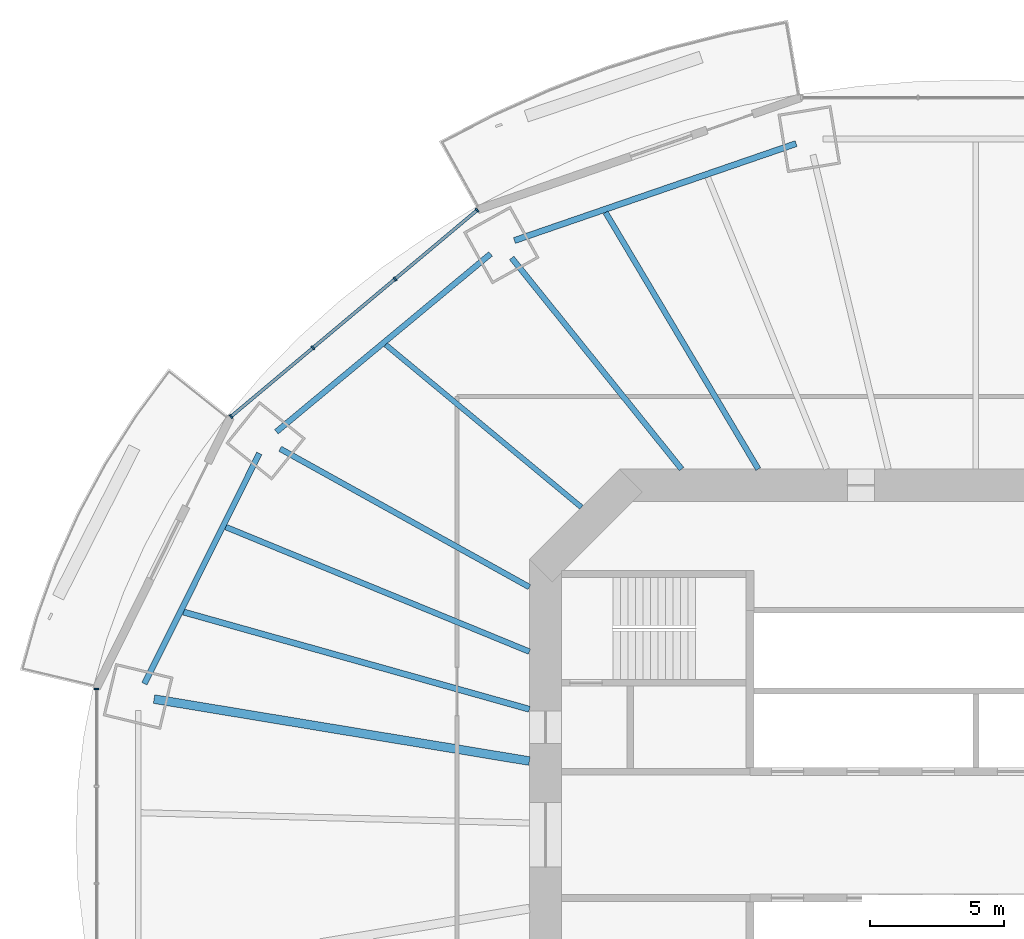
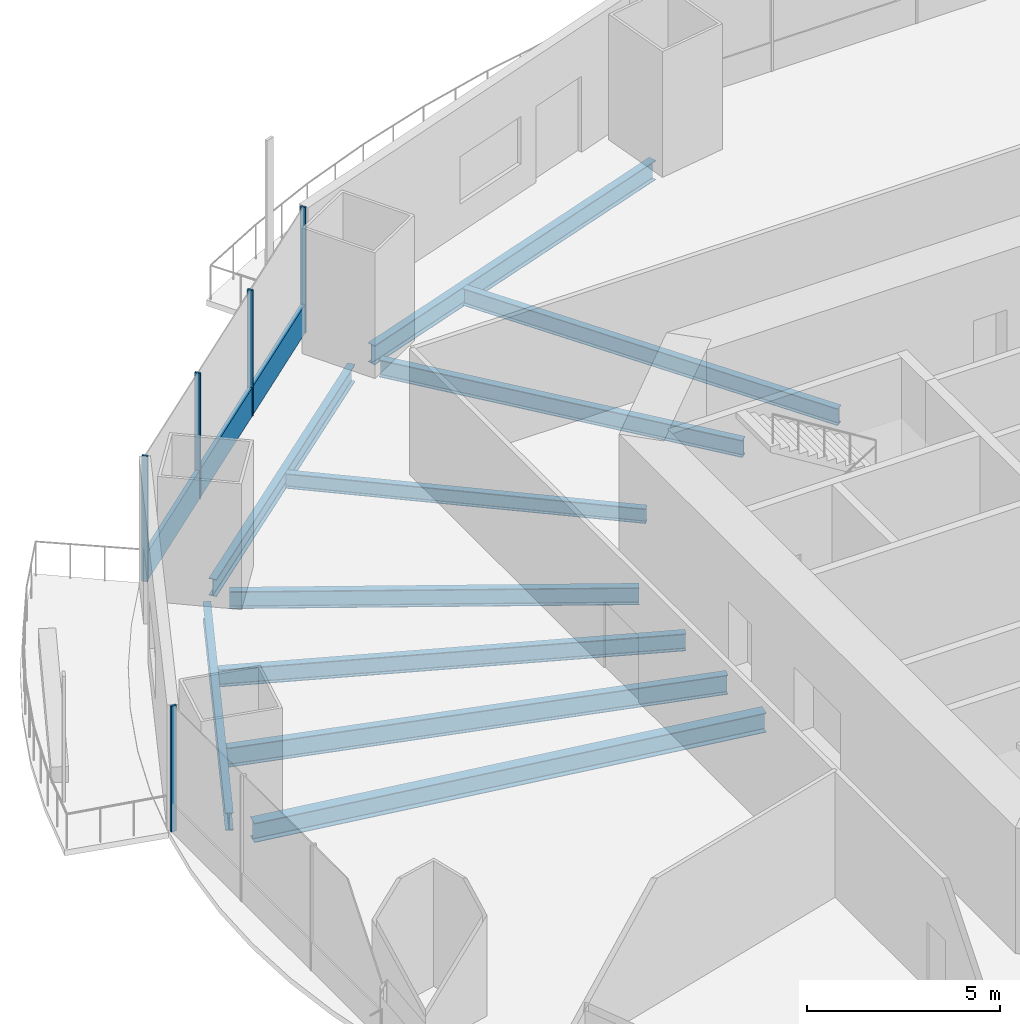
# One storey, part 6 of 20: 10 beams, 6 members, 2 elements without a shape of their own.
"""IFC4 building model written with IfcOpenShell, lengths in metres."""

from ifc_helpers import new_model, si_unit, direction, frame, origin, origin_2d, place, context, subcontext, project, spatial, rectangle, i_section, extrude, material, material_profile, profile_set, type_object, element, aggregate, save


model = new_model("IFC4")

# Units and contexts
model_context = context("Model", 3, precision=1e-05, world=origin(), true_north=direction((0.0, 1.0)))
body_context = subcontext(model_context, "Body", "Model", "MODEL_VIEW")
ifc_project = project(units=[si_unit("LENGTHUNIT", "METRE"), si_unit("AREAUNIT", "SQUARE_METRE"), si_unit("VOLUMEUNIT", "CUBIC_METRE"), si_unit("PLANEANGLEUNIT", "RADIAN"), si_unit("MASSUNIT", "GRAM", prefix="KILO")], contexts=[model_context])

# Site, building, storey
site_placement = place(None, origin())
site = spatial("IfcSite", under=ifc_project, at=site_placement, CompositionType="ELEMENT")
building_placement = place(site_placement, origin())
building = spatial("IfcBuilding", under=site, at=building_placement, Name="Marenthal Gate Tower", CompositionType="ELEMENT")
storey_placement = place(building_placement, frame((0.0, 0.0, 136.75)))
storey = spatial("IfcBuildingStorey", under=building, at=storey_placement, Name="L29", CompositionType="ELEMENT", Elevation=136.75)

# Curtain wall, members
ifc_material_1 = material(Name="Aluminium and glass", Category="aluminium")
curtain_wall_type = type_object("IfcCurtainWallType", Name="Curtain wall typical low", PredefinedType="NOTDEFINED", material=ifc_material_1)
curtain_wall_1_placement = place(storey_placement, origin())
curtain_wall_1 = element("IfcCurtainWall", 1, at=curtain_wall_1_placement, inside=storey, type_object=curtain_wall_type, Name="Curtain wall L29 bay 6", PredefinedType="NOTDEFINED")
ifc_material_2 = material(Name="Aluminium", Category="aluminium")
ifc_material_profile_1 = material_profile(ifc_material_2, rectangle(XDim=0.159912109375, YDim=0.06005859375, at=origin_2d()), Name="60x160 aluminium mullion")
ifc_profile_set_1 = profile_set([ifc_material_profile_1], Name="Aluminium")
member_type_1 = type_object("IfcMemberType", Name="Mullion 60x160 typical low", PredefinedType="MULLION", material=ifc_profile_set_1)
member_1_placement = place(storey_placement, frame((-18.546875, 23.22607421875, 0.0), z_axis=(0.0, 0.0, 1.0), x_axis=(0.642510826857, -0.766276606305, 0.0)))
member_1 = element("IfcMember", 2, at=member_1_placement, type_object=member_type_1, Name="Mullion L29 bay 6.1", PredefinedType="MULLION", context=body_context, shape_type="SweptSolid", body=[
    extrude(rectangle(XDim=0.159912109375, YDim=0.06005859375, at=origin_2d()), origin(), (0.0, 0.0, 1.0), 3.969970703125),
])
member_2_placement = place(storey_placement, frame((-21.597900390625, 20.66796875, 0.0), z_axis=(0.0, 0.0, 1.0), x_axis=(0.642510826857, -0.766276606305, 0.0)))
member_2 = element("IfcMember", 3, at=member_2_placement, type_object=member_type_1, Name="Mullion L29 bay 6.2", PredefinedType="MULLION", context=body_context, shape_type="SweptSolid", body=[
    extrude(rectangle(XDim=0.159912109375, YDim=0.06005859375, at=origin_2d()), origin(), (0.0, 0.0, 1.0), 3.969970703125),
])
member_3_placement = place(storey_placement, frame((-24.64892578125, 18.109619140625, 0.0), z_axis=(0.0, 0.0, 1.0), x_axis=(0.642510826857, -0.766276606305, 0.0)))
member_3 = element("IfcMember", 4, at=member_3_placement, type_object=member_type_1, Name="Mullion L29 bay 6.3", PredefinedType="MULLION", context=body_context, shape_type="SweptSolid", body=[
    extrude(rectangle(XDim=0.159912109375, YDim=0.06005859375, at=origin_2d()), origin(), (0.0, 0.0, 1.0), 3.969970703125),
])
member_4_placement = place(storey_placement, frame((-27.699951171875, 15.551513671875, 0.0), z_axis=(0.0, 0.0, 1.0), x_axis=(0.642510826857, -0.766276606305, 0.0)))
member_4 = element("IfcMember", 5, at=member_4_placement, type_object=member_type_1, Name="Mullion L29 bay 6.4", PredefinedType="MULLION", context=body_context, shape_type="SweptSolid", body=[
    extrude(rectangle(XDim=0.159912109375, YDim=0.06005859375, at=origin_2d()), origin(), (0.0, 0.0, 1.0), 3.969970703125),
])

# Curtain wall, member
curtain_wall_2_placement = place(storey_placement, origin())
curtain_wall_2 = element("IfcCurtainWall", 6, at=curtain_wall_2_placement, inside=storey, type_object=curtain_wall_type, Name="Curtain wall L29 bay 8", PredefinedType="NOTDEFINED")
member_5_placement = place(storey_placement, frame((-32.701416015625, 5.424072265625, 0.0), z_axis=(0.0, 0.0, 1.0), x_axis=(1.0, 0.0, 0.0)))
member_5 = element("IfcMember", 7, at=member_5_placement, type_object=member_type_1, Name="Mullion L29 bay 8.1", PredefinedType="MULLION", context=body_context, shape_type="SweptSolid", body=[
    extrude(rectangle(XDim=0.159912109375, YDim=0.06005859375, at=origin_2d()), origin(), (0.0, 0.0, 1.0), 3.969970703125),
])
aggregate(curtain_wall_2, [member_5])

# Member
ifc_material_3 = material(Name="Aluminium", Category="aluminium")
ifc_material_profile_2 = material_profile(ifc_material_3, rectangle(XDim=0.1201171875, YDim=0.89990234375, at=origin_2d()), Name="120x900 aluminium transom")
ifc_profile_set_2 = profile_set([ifc_material_profile_2], Name="Aluminium")
member_type_2 = type_object("IfcMemberType", Name="Transom 120x900 typical low", PredefinedType="USERDEFINED", material=ifc_profile_set_2)
member_6_placement = place(storey_placement, frame((-18.56982421875, 23.206787109375, 0.449951171875), z_axis=(-0.76627636454, -0.642511115194, 0.0), x_axis=(0.642511115194, -0.76627636454, 0.0)))
member_6 = element("IfcMember", 8, at=member_6_placement, type_object=member_type_2, Name="Transom L29 bay 6", ObjectType="TRANSOM", PredefinedType="USERDEFINED", context=body_context, shape_type="SweptSolid", body=[
    extrude(rectangle(XDim=0.1201171875, YDim=0.89990234375, at=origin_2d()), origin(), (0.0, 0.0, 1.0), 11.885009765625),
])

aggregate(curtain_wall_1, [member_1, member_2, member_3, member_4, member_6])

# Beams
ifc_material_4 = material(Name="Steel S355", Category="steel")
ifc_material_profile_3 = material_profile(ifc_material_4, i_section(OverallWidth=0.193115234375, OverallDepth=0.467041015625, WebThickness=0.011474609375, FlangeThickness=0.01904296875, FilletRadius=0.010009765625, at=origin_2d()), Name="W460X97")
ifc_profile_set_3 = profile_set([ifc_material_profile_3], Name="Steel S355")
beam_type_1 = type_object("IfcBeamType", Name="W460X97 beam", PredefinedType="BEAM", material=ifc_profile_set_3)
beam_1_placement = place(storey_placement, frame((-21.944580078125, 18.22412109375, -0.41357421875), z_axis=(0.769313903272, -0.638870971506, 0.0), x_axis=(0.638870971506, 0.769313903272, 0.0)))
element("IfcBeam", 9, at=beam_1_placement, inside=storey, type_object=beam_type_1, Name="BM-L29-25", PredefinedType="BEAM", context=body_context, shape_type="SweptSolid", body=[
    extrude(i_section(OverallWidth=0.193115234375, OverallDepth=0.467041015625, WebThickness=0.011474609375, FlangeThickness=0.01904296875, FilletRadius=0.010009765625, at=origin_2d()), origin(), (0.0, 0.0, 1.0), 9.459228515625),
])
ifc_material_5 = material(Name="Steel S355", Category="steel")
ifc_material_profile_4 = material_profile(ifc_material_5, i_section(OverallWidth=0.2099609375, OverallDepth=0.535888671875, WebThickness=0.010986328125, FlangeThickness=0.017333984375, FilletRadius=0.0126953125, at=origin_2d()), Name="W530X101")
ifc_profile_set_4 = profile_set([ifc_material_profile_4], Name="Steel S355")
beam_type_2 = type_object("IfcBeamType", Name="W530X101 beam", PredefinedType="BEAM", material=ifc_profile_set_4)
beam_2_placement = place(storey_placement, frame((-13.769775390625, 23.14404296875, -0.447998046875), z_axis=(0.511320752803, -0.859389950926, 0.0), x_axis=(0.859389950926, 0.511320752803, 0.0)))
element("IfcBeam", 10, at=beam_2_placement, inside=storey, type_object=beam_type_2, Name="BM-L29-24", PredefinedType="BEAM", context=body_context, shape_type="SweptSolid", body=[
    extrude(i_section(OverallWidth=0.2099609375, OverallDepth=0.535888671875, WebThickness=0.010986328125, FlangeThickness=0.017333984375, FilletRadius=0.0126953125, at=origin_2d()), origin(), (0.0, 0.0, 1.0), 11.10546875),
])
ifc_material_6 = material(Name="Steel S355", Category="steel")
ifc_material_profile_5 = material_profile(ifc_material_6, i_section(OverallWidth=0.2119140625, OverallDepth=0.5439453125, WebThickness=0.01318359375, FlangeThickness=0.021240234375, FilletRadius=0.0126953125, at=origin_2d()), Name="W530X123")
ifc_profile_set_5 = profile_set([ifc_material_profile_5], Name="Steel S355")
beam_type_3 = type_object("IfcBeamType", Name="W530X123 beam", PredefinedType="BEAM", material=ifc_profile_set_5)
beam_3_placement = place(storey_placement, frame((-17.259521484375, 21.45166015625, -0.451904296875), z_axis=(0.6268641657, -0.77912856305, 0.0), x_axis=(0.77912856305, 0.6268641657, 0.0)))
element("IfcBeam", 11, at=beam_3_placement, inside=storey, type_object=beam_type_3, Name="BM-L29-06", PredefinedType="BEAM", context=body_context, shape_type="SweptSolid", body=[
    extrude(i_section(OverallWidth=0.2119140625, OverallDepth=0.5439453125, WebThickness=0.01318359375, FlangeThickness=0.021240234375, FilletRadius=0.0126953125, at=origin_2d()), origin(), (0.0, 0.0, 1.0), 10.077392578125),
])
beam_4_placement = place(storey_placement, frame((-25.8701171875, 14.355224609375, -0.451904296875), z_axis=(0.874396146379, -0.485212715412, 0.0), x_axis=(0.485212715412, 0.874396146379, 0.0)))
element("IfcBeam", 12, at=beam_4_placement, inside=storey, type_object=beam_type_3, Name="BM-L29-07", PredefinedType="BEAM", context=body_context, shape_type="SweptSolid", body=[
    extrude(i_section(OverallWidth=0.2119140625, OverallDepth=0.5439453125, WebThickness=0.01318359375, FlangeThickness=0.021240234375, FilletRadius=0.0126953125, at=origin_2d()), origin(), (0.0, 0.0, 1.0), 10.6015625),
])
beam_5_placement = place(storey_placement, frame((-27.8916015625, 11.444580078125, -0.451904296875), z_axis=(0.925143041133, -0.379618694803, 0.0), x_axis=(0.379618694803, 0.925143041133, 0.0)))
element("IfcBeam", 13, at=beam_5_placement, inside=storey, type_object=beam_type_3, Name="BM-L29-26", PredefinedType="BEAM", context=body_context, shape_type="SweptSolid", body=[
    extrude(i_section(OverallWidth=0.2119140625, OverallDepth=0.5439453125, WebThickness=0.01318359375, FlangeThickness=0.021240234375, FilletRadius=0.0126953125, at=origin_2d()), origin(), (0.0, 0.0, 1.0), 12.205078125),
])
beam_6_placement = place(storey_placement, frame((-18.044189453125, 21.60107421875, -0.451904296875), z_axis=(-0.769308410826, -0.638877585326, 0.0), x_axis=(0.638877585326, -0.769308410826, 0.0)))
element("IfcBeam", 14, at=beam_6_placement, inside=storey, type_object=beam_type_3, Name="BM-L29-46", PredefinedType="BEAM", context=body_context, shape_type="SweptSolid", body=[
    extrude(i_section(OverallWidth=0.2119140625, OverallDepth=0.5439453125, WebThickness=0.01318359375, FlangeThickness=0.021240234375, FilletRadius=0.0126953125, at=origin_2d()), origin(), (0.0, 0.0, 1.0), 10.35302734375),
])
beam_7_placement = place(storey_placement, frame((-26.642578125, 14.185791015625, -0.451904296875), z_axis=(-0.446356728124, -0.89485511188, 0.0), x_axis=(0.89485511188, -0.446356728124, 0.0)))
element("IfcBeam", 15, at=beam_7_placement, inside=storey, type_object=beam_type_3, Name="BM-L29-47", PredefinedType="BEAM", context=body_context, shape_type="SweptSolid", body=[
    extrude(i_section(OverallWidth=0.2119140625, OverallDepth=0.5439453125, WebThickness=0.01318359375, FlangeThickness=0.021240234375, FilletRadius=0.0126953125, at=origin_2d()), origin(), (0.0, 0.0, 1.0), 9.57568359375),
])
ifc_material_7 = material(Name="Steel S355", Category="steel")
ifc_material_profile_6 = material_profile(ifc_material_7, i_section(OverallWidth=0.22900390625, OverallDepth=0.612060546875, WebThickness=0.011962890625, FlangeThickness=0.01953125, FilletRadius=0.0126953125, at=origin_2d()), Name="W610X125")
ifc_profile_set_6 = profile_set([ifc_material_profile_6], Name="Steel S355")
beam_type_4 = type_object("IfcBeamType", Name="W610X125 beam", PredefinedType="BEAM", material=ifc_profile_set_6)
beam_8_placement = place(storey_placement, frame((-29.466796875, 8.2861328125, -0.486083984375), z_axis=(0.962662543646, -0.270704316664, 0.0), x_axis=(0.270704316664, 0.962662543646, 0.0)))
element("IfcBeam", 16, at=beam_8_placement, inside=storey, type_object=beam_type_4, Name="BM-L29-27", PredefinedType="BEAM", context=body_context, shape_type="SweptSolid", body=[
    extrude(i_section(OverallWidth=0.22900390625, OverallDepth=0.612060546875, WebThickness=0.011962890625, FlangeThickness=0.01953125, FilletRadius=0.0126953125, at=origin_2d()), origin(), (0.0, 0.0, 1.0), 13.36572265625),
])
beam_9_placement = place(storey_placement, frame((-6.682861328125, 25.702880859375, -0.486083984375), z_axis=(-0.945616285836, -0.325284244871, 0.0), x_axis=(0.325284244871, -0.945616285836, 0.0)))
element("IfcBeam", 17, at=beam_9_placement, inside=storey, type_object=beam_type_4, Name="BM-L29-45", PredefinedType="BEAM", context=body_context, shape_type="SweptSolid", body=[
    extrude(i_section(OverallWidth=0.22900390625, OverallDepth=0.612060546875, WebThickness=0.011962890625, FlangeThickness=0.01953125, FilletRadius=0.0126953125, at=origin_2d()), origin(), (0.0, 0.0, 1.0), 11.078125),
])
ifc_material_8 = material(Name="Steel S355", Category="steel")
ifc_material_profile_7 = material_profile(ifc_material_8, i_section(OverallWidth=0.324951171875, OverallDepth=0.612060546875, WebThickness=0.0126953125, FlangeThickness=0.01904296875, FilletRadius=0.0126953125, at=origin_2d()), Name="W610X155")
ifc_profile_set_7 = profile_set([ifc_material_profile_7], Name="Steel S355")
beam_type_5 = type_object("IfcBeamType", Name="W610X155 beam", PredefinedType="BEAM", material=ifc_profile_set_7)
beam_10_placement = place(storey_placement, frame((-30.556884765625, 5.047607421875, -0.486083984375), z_axis=(0.986630319442, -0.162974270234, 0.0), x_axis=(0.162974270234, 0.986630319442, 0.0)))
element("IfcBeam", 18, at=beam_10_placement, inside=storey, type_object=beam_type_5, Name="BM-L29-08", PredefinedType="BEAM", context=body_context, shape_type="SweptSolid", body=[
    extrude(i_section(OverallWidth=0.324951171875, OverallDepth=0.612060546875, WebThickness=0.0126953125, FlangeThickness=0.01904296875, FilletRadius=0.0126953125, at=origin_2d()), origin(), (0.0, 0.0, 1.0), 14.14599609375),
])

save(model, "model.ifc")
